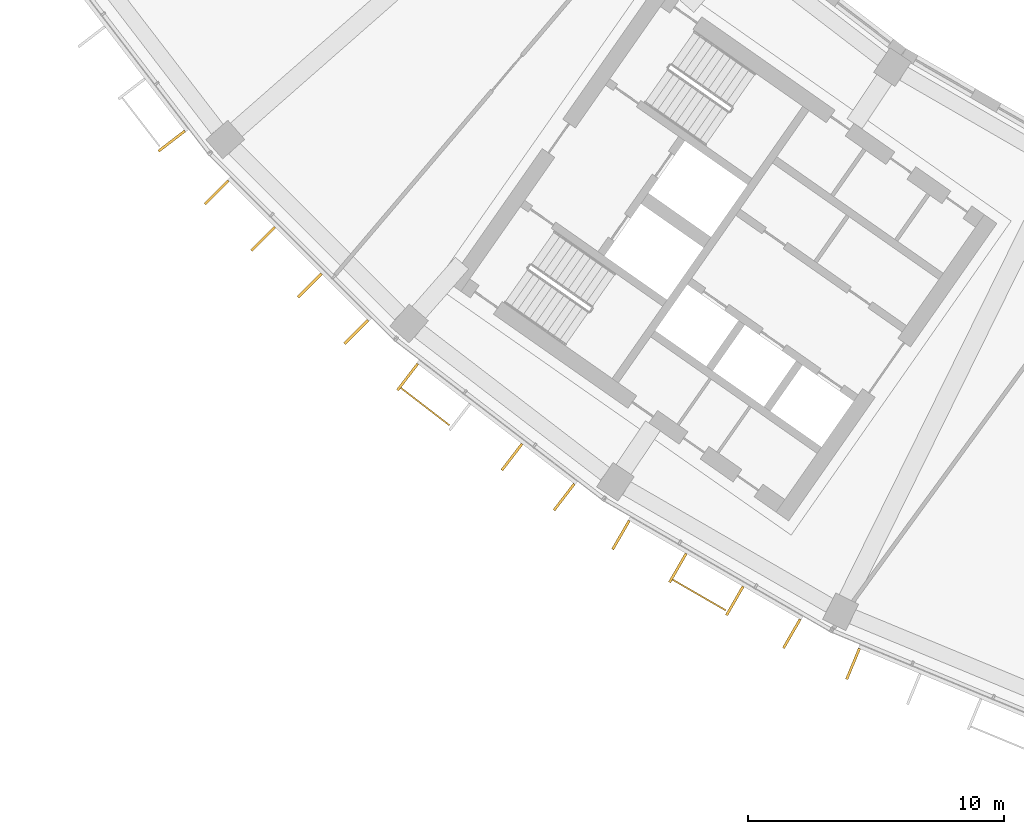
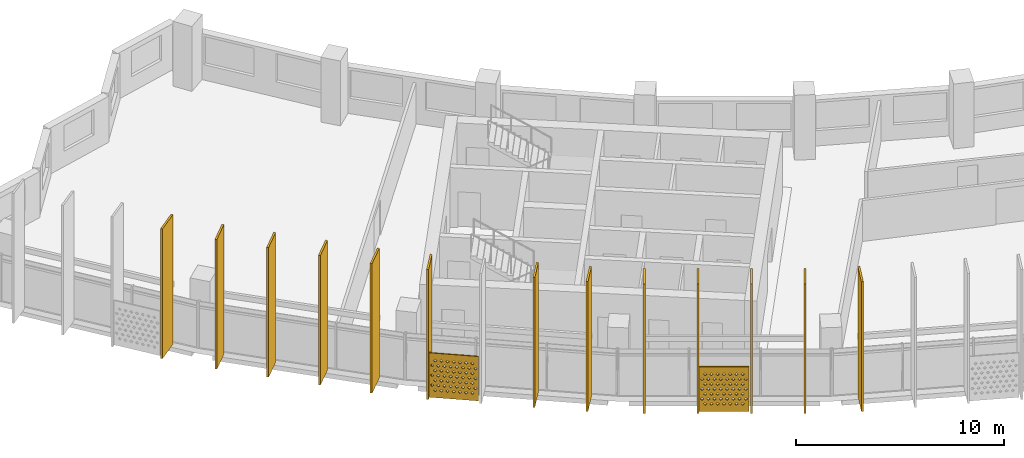
# One storey, part 22 of 27: 15 shading devices.
"""IFC4 building model written with IfcOpenShell, lengths in metres."""

from ifc_helpers import new_model, si_unit, direction, frame, origin, origin_2d, place, context, subcontext, project, spatial, polyline, rectangle, outline, extrude, material, material_profile, profile_set, type_object, element, save


model = new_model("IFC4")

# Units and contexts
model_context = context("Model", 3, precision=1e-05, world=origin(), true_north=direction((0.0, 1.0)))
body_context = subcontext(model_context, "Body", "Model", "MODEL_VIEW")
ifc_project = project(units=[si_unit("LENGTHUNIT", "METRE"), si_unit("AREAUNIT", "SQUARE_METRE"), si_unit("VOLUMEUNIT", "CUBIC_METRE"), si_unit("PLANEANGLEUNIT", "RADIAN"), si_unit("MASSUNIT", "GRAM", prefix="KILO")], contexts=[model_context])

# Site, building, storey
site_placement = place(None, origin())
site = spatial("IfcSite", under=ifc_project, at=site_placement, CompositionType="ELEMENT")
building_placement = place(site_placement, origin())
building = spatial("IfcBuilding", under=site, at=building_placement, Name="Qamariyya Broadcast Tower", CompositionType="ELEMENT")
storey_placement = place(building_placement, frame((0.0, 0.0, 211.300048828125)))
storey = spatial("IfcBuildingStorey", under=building, at=storey_placement, Name="L50", CompositionType="ELEMENT", Elevation=211.300048828125)

# Shading devices
ifc_material_1 = material(Name="Perforated glazed terracotta", Category="masonry")
ifc_material_profile_1 = material_profile(ifc_material_1, outline(polyline([(-1.199951171875, -1.300048828125), (1.199951171875, -1.300048828125), (1.199951171875, 1.300048828125), (-1.199951171875, 1.300048828125), (-1.199951171875, -1.300048828125)]), holes=[polyline([(-0.81494140625, -0.86669921875), (-0.89990234375, -0.78173828125), (-0.985107421875, -0.86669921875), (-0.89990234375, -0.95166015625), (-0.81494140625, -0.86669921875)]), polyline([(-0.514892578125, -0.86669921875), (-0.60009765625, -0.78173828125), (-0.68505859375, -0.86669921875), (-0.60009765625, -0.95166015625), (-0.514892578125, -0.86669921875)]), polyline([(-0.215087890625, -0.86669921875), (-0.300048828125, -0.78173828125), (-0.385009765625, -0.86669921875), (-0.300048828125, -0.95166015625), (-0.215087890625, -0.86669921875)]), polyline([(0.0849609375, -0.86669921875), (0.0, -0.78173828125), (-0.0849609375, -0.86669921875), (0.0, -0.95166015625), (0.0849609375, -0.86669921875)]), polyline([(0.385009765625, -0.86669921875), (0.300048828125, -0.78173828125), (0.215087890625, -0.86669921875), (0.300048828125, -0.95166015625), (0.385009765625, -0.86669921875)]), polyline([(0.68505859375, -0.86669921875), (0.60009765625, -0.78173828125), (0.514892578125, -0.86669921875), (0.60009765625, -0.95166015625), (0.68505859375, -0.86669921875)]), polyline([(0.985107421875, -0.86669921875), (0.89990234375, -0.78173828125), (0.81494140625, -0.86669921875), (0.89990234375, -0.95166015625), (0.985107421875, -0.86669921875)]), polyline([(-0.965087890625, -0.577880859375), (-1.050048828125, -0.49267578125), (-1.135009765625, -0.577880859375), (-1.050048828125, -0.662841796875), (-0.965087890625, -0.577880859375)]), polyline([(-0.6650390625, -0.577880859375), (-0.75, -0.49267578125), (-0.8349609375, -0.577880859375), (-0.75, -0.662841796875), (-0.6650390625, -0.577880859375)]), polyline([(-0.364990234375, -0.577880859375), (-0.449951171875, -0.49267578125), (-0.534912109375, -0.577880859375), (-0.449951171875, -0.662841796875), (-0.364990234375, -0.577880859375)]), polyline([(-0.06494140625, -0.577880859375), (-0.14990234375, -0.49267578125), (-0.235107421875, -0.577880859375), (-0.14990234375, -0.662841796875), (-0.06494140625, -0.577880859375)]), polyline([(0.235107421875, -0.577880859375), (0.14990234375, -0.49267578125), (0.06494140625, -0.577880859375), (0.14990234375, -0.662841796875), (0.235107421875, -0.577880859375)]), polyline([(0.534912109375, -0.577880859375), (0.449951171875, -0.49267578125), (0.364990234375, -0.577880859375), (0.449951171875, -0.662841796875), (0.534912109375, -0.577880859375)]), polyline([(0.8349609375, -0.577880859375), (0.75, -0.49267578125), (0.6650390625, -0.577880859375), (0.75, -0.662841796875), (0.8349609375, -0.577880859375)]), polyline([(1.135009765625, -0.577880859375), (1.050048828125, -0.49267578125), (0.965087890625, -0.577880859375), (1.050048828125, -0.662841796875), (1.135009765625, -0.577880859375)]), polyline([(-0.81494140625, -0.288818359375), (-0.89990234375, -0.203857421875), (-0.985107421875, -0.288818359375), (-0.89990234375, -0.373779296875), (-0.81494140625, -0.288818359375)]), polyline([(-0.514892578125, -0.288818359375), (-0.60009765625, -0.203857421875), (-0.68505859375, -0.288818359375), (-0.60009765625, -0.373779296875), (-0.514892578125, -0.288818359375)]), polyline([(-0.215087890625, -0.288818359375), (-0.300048828125, -0.203857421875), (-0.385009765625, -0.288818359375), (-0.300048828125, -0.373779296875), (-0.215087890625, -0.288818359375)]), polyline([(0.0849609375, -0.288818359375), (0.0, -0.203857421875), (-0.0849609375, -0.288818359375), (0.0, -0.373779296875), (0.0849609375, -0.288818359375)]), polyline([(0.385009765625, -0.288818359375), (0.300048828125, -0.203857421875), (0.215087890625, -0.288818359375), (0.300048828125, -0.373779296875), (0.385009765625, -0.288818359375)]), polyline([(0.68505859375, -0.288818359375), (0.60009765625, -0.203857421875), (0.514892578125, -0.288818359375), (0.60009765625, -0.373779296875), (0.68505859375, -0.288818359375)]), polyline([(0.985107421875, -0.288818359375), (0.89990234375, -0.203857421875), (0.81494140625, -0.288818359375), (0.89990234375, -0.373779296875), (0.985107421875, -0.288818359375)]), polyline([(-0.965087890625, 0.0), (-1.050048828125, 0.0849609375), (-1.135009765625, 0.0), (-1.050048828125, -0.0849609375), (-0.965087890625, 0.0)]), polyline([(-0.6650390625, 0.0), (-0.75, 0.0849609375), (-0.8349609375, 0.0), (-0.75, -0.0849609375), (-0.6650390625, 0.0)]), polyline([(-0.364990234375, 0.0), (-0.449951171875, 0.0849609375), (-0.534912109375, 0.0), (-0.449951171875, -0.0849609375), (-0.364990234375, 0.0)]), polyline([(-0.06494140625, 0.0), (-0.14990234375, 0.0849609375), (-0.235107421875, 0.0), (-0.14990234375, -0.0849609375), (-0.06494140625, 0.0)]), polyline([(0.235107421875, 0.0), (0.14990234375, 0.0849609375), (0.06494140625, 0.0), (0.14990234375, -0.0849609375), (0.235107421875, 0.0)]), polyline([(0.534912109375, 0.0), (0.449951171875, 0.0849609375), (0.364990234375, 0.0), (0.449951171875, -0.0849609375), (0.534912109375, 0.0)]), polyline([(0.8349609375, 0.0), (0.75, 0.0849609375), (0.6650390625, 0.0), (0.75, -0.0849609375), (0.8349609375, 0.0)]), polyline([(1.135009765625, 0.0), (1.050048828125, 0.0849609375), (0.965087890625, 0.0), (1.050048828125, -0.0849609375), (1.135009765625, 0.0)]), polyline([(-0.81494140625, 0.288818359375), (-0.89990234375, 0.373779296875), (-0.985107421875, 0.288818359375), (-0.89990234375, 0.203857421875), (-0.81494140625, 0.288818359375)]), polyline([(-0.514892578125, 0.288818359375), (-0.60009765625, 0.373779296875), (-0.68505859375, 0.288818359375), (-0.60009765625, 0.203857421875), (-0.514892578125, 0.288818359375)]), polyline([(-0.215087890625, 0.288818359375), (-0.300048828125, 0.373779296875), (-0.385009765625, 0.288818359375), (-0.300048828125, 0.203857421875), (-0.215087890625, 0.288818359375)]), polyline([(0.0849609375, 0.288818359375), (0.0, 0.373779296875), (-0.0849609375, 0.288818359375), (0.0, 0.203857421875), (0.0849609375, 0.288818359375)]), polyline([(0.385009765625, 0.288818359375), (0.300048828125, 0.373779296875), (0.215087890625, 0.288818359375), (0.300048828125, 0.203857421875), (0.385009765625, 0.288818359375)]), polyline([(0.68505859375, 0.288818359375), (0.60009765625, 0.373779296875), (0.514892578125, 0.288818359375), (0.60009765625, 0.203857421875), (0.68505859375, 0.288818359375)]), polyline([(0.985107421875, 0.288818359375), (0.89990234375, 0.373779296875), (0.81494140625, 0.288818359375), (0.89990234375, 0.203857421875), (0.985107421875, 0.288818359375)]), polyline([(-0.965087890625, 0.577880859375), (-1.050048828125, 0.662841796875), (-1.135009765625, 0.577880859375), (-1.050048828125, 0.49267578125), (-0.965087890625, 0.577880859375)]), polyline([(-0.6650390625, 0.577880859375), (-0.75, 0.662841796875), (-0.8349609375, 0.577880859375), (-0.75, 0.49267578125), (-0.6650390625, 0.577880859375)]), polyline([(-0.364990234375, 0.577880859375), (-0.449951171875, 0.662841796875), (-0.534912109375, 0.577880859375), (-0.449951171875, 0.49267578125), (-0.364990234375, 0.577880859375)]), polyline([(-0.06494140625, 0.577880859375), (-0.14990234375, 0.662841796875), (-0.235107421875, 0.577880859375), (-0.14990234375, 0.49267578125), (-0.06494140625, 0.577880859375)]), polyline([(0.235107421875, 0.577880859375), (0.14990234375, 0.662841796875), (0.06494140625, 0.577880859375), (0.14990234375, 0.49267578125), (0.235107421875, 0.577880859375)]), polyline([(0.534912109375, 0.577880859375), (0.449951171875, 0.662841796875), (0.364990234375, 0.577880859375), (0.449951171875, 0.49267578125), (0.534912109375, 0.577880859375)]), polyline([(0.8349609375, 0.577880859375), (0.75, 0.662841796875), (0.6650390625, 0.577880859375), (0.75, 0.49267578125), (0.8349609375, 0.577880859375)]), polyline([(1.135009765625, 0.577880859375), (1.050048828125, 0.662841796875), (0.965087890625, 0.577880859375), (1.050048828125, 0.49267578125), (1.135009765625, 0.577880859375)]), polyline([(-0.81494140625, 0.86669921875), (-0.89990234375, 0.95166015625), (-0.985107421875, 0.86669921875), (-0.89990234375, 0.78173828125), (-0.81494140625, 0.86669921875)]), polyline([(-0.514892578125, 0.86669921875), (-0.60009765625, 0.95166015625), (-0.68505859375, 0.86669921875), (-0.60009765625, 0.78173828125), (-0.514892578125, 0.86669921875)]), polyline([(-0.215087890625, 0.86669921875), (-0.300048828125, 0.95166015625), (-0.385009765625, 0.86669921875), (-0.300048828125, 0.78173828125), (-0.215087890625, 0.86669921875)]), polyline([(0.0849609375, 0.86669921875), (0.0, 0.95166015625), (-0.0849609375, 0.86669921875), (0.0, 0.78173828125), (0.0849609375, 0.86669921875)]), polyline([(0.385009765625, 0.86669921875), (0.300048828125, 0.95166015625), (0.215087890625, 0.86669921875), (0.300048828125, 0.78173828125), (0.385009765625, 0.86669921875)]), polyline([(0.68505859375, 0.86669921875), (0.60009765625, 0.95166015625), (0.514892578125, 0.86669921875), (0.60009765625, 0.78173828125), (0.68505859375, 0.86669921875)]), polyline([(0.985107421875, 0.86669921875), (0.89990234375, 0.95166015625), (0.81494140625, 0.86669921875), (0.89990234375, 0.78173828125), (0.985107421875, 0.86669921875)])]))
ifc_profile_set_1 = profile_set([ifc_material_profile_1], Name="Perforated glazed terracotta")
shading_device_type_1 = type_object("IfcShadingDeviceType", Name="Perforated terracotta screen 2400 x 2600", PredefinedType="USERDEFINED", material=ifc_profile_set_1)
shading_device_1_placement = place(storey_placement, frame((-50.61865234375, -61.68359375, 1.349853515625), z_axis=(-0.60971076085, -0.792623989105, 0.0), x_axis=(0.792623989105, -0.60971076085, 0.0)))
element("IfcShadingDevice", 1, at=shading_device_1_placement, inside=storey, type_object=shading_device_type_1, Name="e-scr-L50-03-0", ObjectType="SCREEN", PredefinedType="USERDEFINED", context=body_context, shape_type="SweptSolid", body=[
    extrude(outline(polyline([(-1.199951171875, -1.300048828125), (1.199951171875, -1.300048828125), (1.199951171875, 1.300048828125), (-1.199951171875, 1.300048828125), (-1.199951171875, -1.300048828125)]), holes=[polyline([(-0.81494140625, -0.86669921875), (-0.89990234375, -0.78173828125), (-0.985107421875, -0.86669921875), (-0.89990234375, -0.95166015625), (-0.81494140625, -0.86669921875)]), polyline([(-0.514892578125, -0.86669921875), (-0.60009765625, -0.78173828125), (-0.68505859375, -0.86669921875), (-0.60009765625, -0.95166015625), (-0.514892578125, -0.86669921875)]), polyline([(-0.215087890625, -0.86669921875), (-0.300048828125, -0.78173828125), (-0.385009765625, -0.86669921875), (-0.300048828125, -0.95166015625), (-0.215087890625, -0.86669921875)]), polyline([(0.0849609375, -0.86669921875), (0.0, -0.78173828125), (-0.0849609375, -0.86669921875), (0.0, -0.95166015625), (0.0849609375, -0.86669921875)]), polyline([(0.385009765625, -0.86669921875), (0.300048828125, -0.78173828125), (0.215087890625, -0.86669921875), (0.300048828125, -0.95166015625), (0.385009765625, -0.86669921875)]), polyline([(0.68505859375, -0.86669921875), (0.60009765625, -0.78173828125), (0.514892578125, -0.86669921875), (0.60009765625, -0.95166015625), (0.68505859375, -0.86669921875)]), polyline([(0.985107421875, -0.86669921875), (0.89990234375, -0.78173828125), (0.81494140625, -0.86669921875), (0.89990234375, -0.95166015625), (0.985107421875, -0.86669921875)]), polyline([(-0.965087890625, -0.577880859375), (-1.050048828125, -0.49267578125), (-1.135009765625, -0.577880859375), (-1.050048828125, -0.662841796875), (-0.965087890625, -0.577880859375)]), polyline([(-0.6650390625, -0.577880859375), (-0.75, -0.49267578125), (-0.8349609375, -0.577880859375), (-0.75, -0.662841796875), (-0.6650390625, -0.577880859375)]), polyline([(-0.364990234375, -0.577880859375), (-0.449951171875, -0.49267578125), (-0.534912109375, -0.577880859375), (-0.449951171875, -0.662841796875), (-0.364990234375, -0.577880859375)]), polyline([(-0.06494140625, -0.577880859375), (-0.14990234375, -0.49267578125), (-0.235107421875, -0.577880859375), (-0.14990234375, -0.662841796875), (-0.06494140625, -0.577880859375)]), polyline([(0.235107421875, -0.577880859375), (0.14990234375, -0.49267578125), (0.06494140625, -0.577880859375), (0.14990234375, -0.662841796875), (0.235107421875, -0.577880859375)]), polyline([(0.534912109375, -0.577880859375), (0.449951171875, -0.49267578125), (0.364990234375, -0.577880859375), (0.449951171875, -0.662841796875), (0.534912109375, -0.577880859375)]), polyline([(0.8349609375, -0.577880859375), (0.75, -0.49267578125), (0.6650390625, -0.577880859375), (0.75, -0.662841796875), (0.8349609375, -0.577880859375)]), polyline([(1.135009765625, -0.577880859375), (1.050048828125, -0.49267578125), (0.965087890625, -0.577880859375), (1.050048828125, -0.662841796875), (1.135009765625, -0.577880859375)]), polyline([(-0.81494140625, -0.288818359375), (-0.89990234375, -0.203857421875), (-0.985107421875, -0.288818359375), (-0.89990234375, -0.373779296875), (-0.81494140625, -0.288818359375)]), polyline([(-0.514892578125, -0.288818359375), (-0.60009765625, -0.203857421875), (-0.68505859375, -0.288818359375), (-0.60009765625, -0.373779296875), (-0.514892578125, -0.288818359375)]), polyline([(-0.215087890625, -0.288818359375), (-0.300048828125, -0.203857421875), (-0.385009765625, -0.288818359375), (-0.300048828125, -0.373779296875), (-0.215087890625, -0.288818359375)]), polyline([(0.0849609375, -0.288818359375), (0.0, -0.203857421875), (-0.0849609375, -0.288818359375), (0.0, -0.373779296875), (0.0849609375, -0.288818359375)]), polyline([(0.385009765625, -0.288818359375), (0.300048828125, -0.203857421875), (0.215087890625, -0.288818359375), (0.300048828125, -0.373779296875), (0.385009765625, -0.288818359375)]), polyline([(0.68505859375, -0.288818359375), (0.60009765625, -0.203857421875), (0.514892578125, -0.288818359375), (0.60009765625, -0.373779296875), (0.68505859375, -0.288818359375)]), polyline([(0.985107421875, -0.288818359375), (0.89990234375, -0.203857421875), (0.81494140625, -0.288818359375), (0.89990234375, -0.373779296875), (0.985107421875, -0.288818359375)]), polyline([(-0.965087890625, 0.0), (-1.050048828125, 0.0849609375), (-1.135009765625, 0.0), (-1.050048828125, -0.0849609375), (-0.965087890625, 0.0)]), polyline([(-0.6650390625, 0.0), (-0.75, 0.0849609375), (-0.8349609375, 0.0), (-0.75, -0.0849609375), (-0.6650390625, 0.0)]), polyline([(-0.364990234375, 0.0), (-0.449951171875, 0.0849609375), (-0.534912109375, 0.0), (-0.449951171875, -0.0849609375), (-0.364990234375, 0.0)]), polyline([(-0.06494140625, 0.0), (-0.14990234375, 0.0849609375), (-0.235107421875, 0.0), (-0.14990234375, -0.0849609375), (-0.06494140625, 0.0)]), polyline([(0.235107421875, 0.0), (0.14990234375, 0.0849609375), (0.06494140625, 0.0), (0.14990234375, -0.0849609375), (0.235107421875, 0.0)]), polyline([(0.534912109375, 0.0), (0.449951171875, 0.0849609375), (0.364990234375, 0.0), (0.449951171875, -0.0849609375), (0.534912109375, 0.0)]), polyline([(0.8349609375, 0.0), (0.75, 0.0849609375), (0.6650390625, 0.0), (0.75, -0.0849609375), (0.8349609375, 0.0)]), polyline([(1.135009765625, 0.0), (1.050048828125, 0.0849609375), (0.965087890625, 0.0), (1.050048828125, -0.0849609375), (1.135009765625, 0.0)]), polyline([(-0.81494140625, 0.288818359375), (-0.89990234375, 0.373779296875), (-0.985107421875, 0.288818359375), (-0.89990234375, 0.203857421875), (-0.81494140625, 0.288818359375)]), polyline([(-0.514892578125, 0.288818359375), (-0.60009765625, 0.373779296875), (-0.68505859375, 0.288818359375), (-0.60009765625, 0.203857421875), (-0.514892578125, 0.288818359375)]), polyline([(-0.215087890625, 0.288818359375), (-0.300048828125, 0.373779296875), (-0.385009765625, 0.288818359375), (-0.300048828125, 0.203857421875), (-0.215087890625, 0.288818359375)]), polyline([(0.0849609375, 0.288818359375), (0.0, 0.373779296875), (-0.0849609375, 0.288818359375), (0.0, 0.203857421875), (0.0849609375, 0.288818359375)]), polyline([(0.385009765625, 0.288818359375), (0.300048828125, 0.373779296875), (0.215087890625, 0.288818359375), (0.300048828125, 0.203857421875), (0.385009765625, 0.288818359375)]), polyline([(0.68505859375, 0.288818359375), (0.60009765625, 0.373779296875), (0.514892578125, 0.288818359375), (0.60009765625, 0.203857421875), (0.68505859375, 0.288818359375)]), polyline([(0.985107421875, 0.288818359375), (0.89990234375, 0.373779296875), (0.81494140625, 0.288818359375), (0.89990234375, 0.203857421875), (0.985107421875, 0.288818359375)]), polyline([(-0.965087890625, 0.577880859375), (-1.050048828125, 0.662841796875), (-1.135009765625, 0.577880859375), (-1.050048828125, 0.49267578125), (-0.965087890625, 0.577880859375)]), polyline([(-0.6650390625, 0.577880859375), (-0.75, 0.662841796875), (-0.8349609375, 0.577880859375), (-0.75, 0.49267578125), (-0.6650390625, 0.577880859375)]), polyline([(-0.364990234375, 0.577880859375), (-0.449951171875, 0.662841796875), (-0.534912109375, 0.577880859375), (-0.449951171875, 0.49267578125), (-0.364990234375, 0.577880859375)]), polyline([(-0.06494140625, 0.577880859375), (-0.14990234375, 0.662841796875), (-0.235107421875, 0.577880859375), (-0.14990234375, 0.49267578125), (-0.06494140625, 0.577880859375)]), polyline([(0.235107421875, 0.577880859375), (0.14990234375, 0.662841796875), (0.06494140625, 0.577880859375), (0.14990234375, 0.49267578125), (0.235107421875, 0.577880859375)]), polyline([(0.534912109375, 0.577880859375), (0.449951171875, 0.662841796875), (0.364990234375, 0.577880859375), (0.449951171875, 0.49267578125), (0.534912109375, 0.577880859375)]), polyline([(0.8349609375, 0.577880859375), (0.75, 0.662841796875), (0.6650390625, 0.577880859375), (0.75, 0.49267578125), (0.8349609375, 0.577880859375)]), polyline([(1.135009765625, 0.577880859375), (1.050048828125, 0.662841796875), (0.965087890625, 0.577880859375), (1.050048828125, 0.49267578125), (1.135009765625, 0.577880859375)]), polyline([(-0.81494140625, 0.86669921875), (-0.89990234375, 0.95166015625), (-0.985107421875, 0.86669921875), (-0.89990234375, 0.78173828125), (-0.81494140625, 0.86669921875)]), polyline([(-0.514892578125, 0.86669921875), (-0.60009765625, 0.95166015625), (-0.68505859375, 0.86669921875), (-0.60009765625, 0.78173828125), (-0.514892578125, 0.86669921875)]), polyline([(-0.215087890625, 0.86669921875), (-0.300048828125, 0.95166015625), (-0.385009765625, 0.86669921875), (-0.300048828125, 0.78173828125), (-0.215087890625, 0.86669921875)]), polyline([(0.0849609375, 0.86669921875), (0.0, 0.95166015625), (-0.0849609375, 0.86669921875), (0.0, 0.78173828125), (0.0849609375, 0.86669921875)]), polyline([(0.385009765625, 0.86669921875), (0.300048828125, 0.95166015625), (0.215087890625, 0.86669921875), (0.300048828125, 0.78173828125), (0.385009765625, 0.86669921875)]), polyline([(0.68505859375, 0.86669921875), (0.60009765625, 0.95166015625), (0.514892578125, 0.86669921875), (0.60009765625, 0.78173828125), (0.68505859375, 0.86669921875)]), polyline([(0.985107421875, 0.86669921875), (0.89990234375, 0.95166015625), (0.81494140625, 0.86669921875), (0.89990234375, 0.78173828125), (0.985107421875, 0.86669921875)])]), origin(), (0.0, 0.0, 1.0), 0.06005859375),
])
shading_device_2_placement = place(storey_placement, frame((-39.906982421875, -69.048828125, 1.349853515625), z_axis=(-0.500074377092, -0.865982457891, 0.0), x_axis=(0.865982457891, -0.500074377092, 0.0)))
element("IfcShadingDevice", 2, at=shading_device_2_placement, inside=storey, type_object=shading_device_type_1, Name="e-scr-L50-04-1", ObjectType="SCREEN", PredefinedType="USERDEFINED", context=body_context, shape_type="SweptSolid", body=[
    extrude(outline(polyline([(-1.199951171875, -1.300048828125), (1.199951171875, -1.300048828125), (1.199951171875, 1.300048828125), (-1.199951171875, 1.300048828125), (-1.199951171875, -1.300048828125)]), holes=[polyline([(-0.81494140625, -0.86669921875), (-0.89990234375, -0.78173828125), (-0.985107421875, -0.86669921875), (-0.89990234375, -0.95166015625), (-0.81494140625, -0.86669921875)]), polyline([(-0.514892578125, -0.86669921875), (-0.60009765625, -0.78173828125), (-0.68505859375, -0.86669921875), (-0.60009765625, -0.95166015625), (-0.514892578125, -0.86669921875)]), polyline([(-0.215087890625, -0.86669921875), (-0.300048828125, -0.78173828125), (-0.385009765625, -0.86669921875), (-0.300048828125, -0.95166015625), (-0.215087890625, -0.86669921875)]), polyline([(0.0849609375, -0.86669921875), (0.0, -0.78173828125), (-0.0849609375, -0.86669921875), (0.0, -0.95166015625), (0.0849609375, -0.86669921875)]), polyline([(0.385009765625, -0.86669921875), (0.300048828125, -0.78173828125), (0.215087890625, -0.86669921875), (0.300048828125, -0.95166015625), (0.385009765625, -0.86669921875)]), polyline([(0.68505859375, -0.86669921875), (0.60009765625, -0.78173828125), (0.514892578125, -0.86669921875), (0.60009765625, -0.95166015625), (0.68505859375, -0.86669921875)]), polyline([(0.985107421875, -0.86669921875), (0.89990234375, -0.78173828125), (0.81494140625, -0.86669921875), (0.89990234375, -0.95166015625), (0.985107421875, -0.86669921875)]), polyline([(-0.965087890625, -0.577880859375), (-1.050048828125, -0.49267578125), (-1.135009765625, -0.577880859375), (-1.050048828125, -0.662841796875), (-0.965087890625, -0.577880859375)]), polyline([(-0.6650390625, -0.577880859375), (-0.75, -0.49267578125), (-0.8349609375, -0.577880859375), (-0.75, -0.662841796875), (-0.6650390625, -0.577880859375)]), polyline([(-0.364990234375, -0.577880859375), (-0.449951171875, -0.49267578125), (-0.534912109375, -0.577880859375), (-0.449951171875, -0.662841796875), (-0.364990234375, -0.577880859375)]), polyline([(-0.06494140625, -0.577880859375), (-0.14990234375, -0.49267578125), (-0.235107421875, -0.577880859375), (-0.14990234375, -0.662841796875), (-0.06494140625, -0.577880859375)]), polyline([(0.235107421875, -0.577880859375), (0.14990234375, -0.49267578125), (0.06494140625, -0.577880859375), (0.14990234375, -0.662841796875), (0.235107421875, -0.577880859375)]), polyline([(0.534912109375, -0.577880859375), (0.449951171875, -0.49267578125), (0.364990234375, -0.577880859375), (0.449951171875, -0.662841796875), (0.534912109375, -0.577880859375)]), polyline([(0.8349609375, -0.577880859375), (0.75, -0.49267578125), (0.6650390625, -0.577880859375), (0.75, -0.662841796875), (0.8349609375, -0.577880859375)]), polyline([(1.135009765625, -0.577880859375), (1.050048828125, -0.49267578125), (0.965087890625, -0.577880859375), (1.050048828125, -0.662841796875), (1.135009765625, -0.577880859375)]), polyline([(-0.81494140625, -0.288818359375), (-0.89990234375, -0.203857421875), (-0.985107421875, -0.288818359375), (-0.89990234375, -0.373779296875), (-0.81494140625, -0.288818359375)]), polyline([(-0.514892578125, -0.288818359375), (-0.60009765625, -0.203857421875), (-0.68505859375, -0.288818359375), (-0.60009765625, -0.373779296875), (-0.514892578125, -0.288818359375)]), polyline([(-0.215087890625, -0.288818359375), (-0.300048828125, -0.203857421875), (-0.385009765625, -0.288818359375), (-0.300048828125, -0.373779296875), (-0.215087890625, -0.288818359375)]), polyline([(0.0849609375, -0.288818359375), (0.0, -0.203857421875), (-0.0849609375, -0.288818359375), (0.0, -0.373779296875), (0.0849609375, -0.288818359375)]), polyline([(0.385009765625, -0.288818359375), (0.300048828125, -0.203857421875), (0.215087890625, -0.288818359375), (0.300048828125, -0.373779296875), (0.385009765625, -0.288818359375)]), polyline([(0.68505859375, -0.288818359375), (0.60009765625, -0.203857421875), (0.514892578125, -0.288818359375), (0.60009765625, -0.373779296875), (0.68505859375, -0.288818359375)]), polyline([(0.985107421875, -0.288818359375), (0.89990234375, -0.203857421875), (0.81494140625, -0.288818359375), (0.89990234375, -0.373779296875), (0.985107421875, -0.288818359375)]), polyline([(-0.965087890625, 0.0), (-1.050048828125, 0.0849609375), (-1.135009765625, 0.0), (-1.050048828125, -0.0849609375), (-0.965087890625, 0.0)]), polyline([(-0.6650390625, 0.0), (-0.75, 0.0849609375), (-0.8349609375, 0.0), (-0.75, -0.0849609375), (-0.6650390625, 0.0)]), polyline([(-0.364990234375, 0.0), (-0.449951171875, 0.0849609375), (-0.534912109375, 0.0), (-0.449951171875, -0.0849609375), (-0.364990234375, 0.0)]), polyline([(-0.06494140625, 0.0), (-0.14990234375, 0.0849609375), (-0.235107421875, 0.0), (-0.14990234375, -0.0849609375), (-0.06494140625, 0.0)]), polyline([(0.235107421875, 0.0), (0.14990234375, 0.0849609375), (0.06494140625, 0.0), (0.14990234375, -0.0849609375), (0.235107421875, 0.0)]), polyline([(0.534912109375, 0.0), (0.449951171875, 0.0849609375), (0.364990234375, 0.0), (0.449951171875, -0.0849609375), (0.534912109375, 0.0)]), polyline([(0.8349609375, 0.0), (0.75, 0.0849609375), (0.6650390625, 0.0), (0.75, -0.0849609375), (0.8349609375, 0.0)]), polyline([(1.135009765625, 0.0), (1.050048828125, 0.0849609375), (0.965087890625, 0.0), (1.050048828125, -0.0849609375), (1.135009765625, 0.0)]), polyline([(-0.81494140625, 0.288818359375), (-0.89990234375, 0.373779296875), (-0.985107421875, 0.288818359375), (-0.89990234375, 0.203857421875), (-0.81494140625, 0.288818359375)]), polyline([(-0.514892578125, 0.288818359375), (-0.60009765625, 0.373779296875), (-0.68505859375, 0.288818359375), (-0.60009765625, 0.203857421875), (-0.514892578125, 0.288818359375)]), polyline([(-0.215087890625, 0.288818359375), (-0.300048828125, 0.373779296875), (-0.385009765625, 0.288818359375), (-0.300048828125, 0.203857421875), (-0.215087890625, 0.288818359375)]), polyline([(0.0849609375, 0.288818359375), (0.0, 0.373779296875), (-0.0849609375, 0.288818359375), (0.0, 0.203857421875), (0.0849609375, 0.288818359375)]), polyline([(0.385009765625, 0.288818359375), (0.300048828125, 0.373779296875), (0.215087890625, 0.288818359375), (0.300048828125, 0.203857421875), (0.385009765625, 0.288818359375)]), polyline([(0.68505859375, 0.288818359375), (0.60009765625, 0.373779296875), (0.514892578125, 0.288818359375), (0.60009765625, 0.203857421875), (0.68505859375, 0.288818359375)]), polyline([(0.985107421875, 0.288818359375), (0.89990234375, 0.373779296875), (0.81494140625, 0.288818359375), (0.89990234375, 0.203857421875), (0.985107421875, 0.288818359375)]), polyline([(-0.965087890625, 0.577880859375), (-1.050048828125, 0.662841796875), (-1.135009765625, 0.577880859375), (-1.050048828125, 0.49267578125), (-0.965087890625, 0.577880859375)]), polyline([(-0.6650390625, 0.577880859375), (-0.75, 0.662841796875), (-0.8349609375, 0.577880859375), (-0.75, 0.49267578125), (-0.6650390625, 0.577880859375)]), polyline([(-0.364990234375, 0.577880859375), (-0.449951171875, 0.662841796875), (-0.534912109375, 0.577880859375), (-0.449951171875, 0.49267578125), (-0.364990234375, 0.577880859375)]), polyline([(-0.06494140625, 0.577880859375), (-0.14990234375, 0.662841796875), (-0.235107421875, 0.577880859375), (-0.14990234375, 0.49267578125), (-0.06494140625, 0.577880859375)]), polyline([(0.235107421875, 0.577880859375), (0.14990234375, 0.662841796875), (0.06494140625, 0.577880859375), (0.14990234375, 0.49267578125), (0.235107421875, 0.577880859375)]), polyline([(0.534912109375, 0.577880859375), (0.449951171875, 0.662841796875), (0.364990234375, 0.577880859375), (0.449951171875, 0.49267578125), (0.534912109375, 0.577880859375)]), polyline([(0.8349609375, 0.577880859375), (0.75, 0.662841796875), (0.6650390625, 0.577880859375), (0.75, 0.49267578125), (0.8349609375, 0.577880859375)]), polyline([(1.135009765625, 0.577880859375), (1.050048828125, 0.662841796875), (0.965087890625, 0.577880859375), (1.050048828125, 0.49267578125), (1.135009765625, 0.577880859375)]), polyline([(-0.81494140625, 0.86669921875), (-0.89990234375, 0.95166015625), (-0.985107421875, 0.86669921875), (-0.89990234375, 0.78173828125), (-0.81494140625, 0.86669921875)]), polyline([(-0.514892578125, 0.86669921875), (-0.60009765625, 0.95166015625), (-0.68505859375, 0.86669921875), (-0.60009765625, 0.78173828125), (-0.514892578125, 0.86669921875)]), polyline([(-0.215087890625, 0.86669921875), (-0.300048828125, 0.95166015625), (-0.385009765625, 0.86669921875), (-0.300048828125, 0.78173828125), (-0.215087890625, 0.86669921875)]), polyline([(0.0849609375, 0.86669921875), (0.0, 0.95166015625), (-0.0849609375, 0.86669921875), (0.0, 0.78173828125), (0.0849609375, 0.86669921875)]), polyline([(0.385009765625, 0.86669921875), (0.300048828125, 0.95166015625), (0.215087890625, 0.86669921875), (0.300048828125, 0.78173828125), (0.385009765625, 0.86669921875)]), polyline([(0.68505859375, 0.86669921875), (0.60009765625, 0.95166015625), (0.514892578125, 0.86669921875), (0.60009765625, 0.78173828125), (0.68505859375, 0.86669921875)]), polyline([(0.985107421875, 0.86669921875), (0.89990234375, 0.95166015625), (0.81494140625, 0.86669921875), (0.89990234375, 0.78173828125), (0.985107421875, 0.86669921875)])]), origin(), (0.0, 0.0, 1.0), 0.06005859375),
])
ifc_material_2 = material(Name="Glazed terracotta", Category="masonry")
ifc_material_profile_2 = material_profile(ifc_material_2, rectangle(XDim=1.300048828125, YDim=0.10009765625, at=origin_2d()))
ifc_profile_set_2 = profile_set([ifc_material_profile_2], Name="Glazed terracotta")
shading_device_type_2 = type_object("IfcShadingDeviceType", Name="Terracotta fin 100 x 1300", PredefinedType="USERDEFINED", material=ifc_profile_set_2)
for number, where, z_axis, x_axis, name in (
    (3, (-60.5498046875, -51.32421875, 0.0), (0.0, 0.0, 1.0), (-0.793353340291, -0.608761429009, 0.0), "e-fin-L50-01-3"),
    (4, (-58.78857421875, -53.33251953125, 0.0), (0.0, 0.0, 1.0), (-0.707106781187, -0.707106781187, 0.0), "e-fin-L50-02-0"),
    (5, (-56.969970703125, -55.151123046875, 0.0), (0.0, 0.0, 1.0), (-0.707106781187, -0.707106781187, 0.0), "e-fin-L50-02-1"),
    (6, (-55.151123046875, -56.969970703125, 0.0), (0.0, 0.0, 1.0), (-0.707106781187, -0.707106781187, 0.0), "e-fin-L50-02-2"),
    (7, (-53.33251953125, -58.78857421875, 0.0), (0.0, 0.0, 1.0), (-0.707106781187, -0.707106781187, 0.0), "e-fin-L50-02-3"),
    (8, (-51.32421875, -60.5498046875, 0.0), (0.0, 0.0, 1.0), (-0.608761429009, -0.793353340291, 0.0), "e-fin-L50-03-0"),
    (9, (-47.243408203125, -63.68115234375, 0.0), (0.0, 0.0, 1.0), (-0.608761429009, -0.793353340291, 0.0), "e-fin-L50-03-2"),
    (10, (-45.202880859375, -65.246826171875, 0.0), (0.0, 0.0, 1.0), (-0.608761429009, -0.793353340291, 0.0), "e-fin-L50-03-3"),
    (11, (-42.98193359375, -66.73095703125, 0.0), (0.0, 0.0, 1.0), (-0.5, -0.866025403784, 0.0), "e-fin-L50-04-0"),
    (12, (-40.75439453125, -68.016845703125, 0.0), (0.0, 0.0, 1.0), (-0.5, -0.866025403784, 0.0), "e-fin-L50-04-1"),
    (13, (-38.527099609375, -69.302978515625, 0.0), (0.0, 0.0, 1.0), (-0.5, -0.866025403784, 0.0), "e-fin-L50-04-2"),
    (14, (-36.2998046875, -70.5888671875, 0.0), (0.0, 0.0, 1.0), (-0.5, -0.866025403784, 0.0), "e-fin-L50-04-3"),
    (15, (-33.904052734375, -71.770263671875, 0.0), (0.0, 0.0, 1.0), (-0.382683432365, -0.923879532511, 0.0), "e-fin-L50-05-0"),
):
    element("IfcShadingDevice", number, at=place(storey_placement, frame(where, z_axis=z_axis, x_axis=x_axis)), inside=storey, type_object=shading_device_type_2, Name=name, ObjectType="FIN", PredefinedType="USERDEFINED", context=body_context, shape_type="SweptSolid", body=[
        extrude(rectangle(XDim=1.300048828125, YDim=0.10009765625, at=origin_2d()), origin(), (0.0, 0.0, 1.0), 7.599853515625),
    ])

save(model, "model.ifc")
